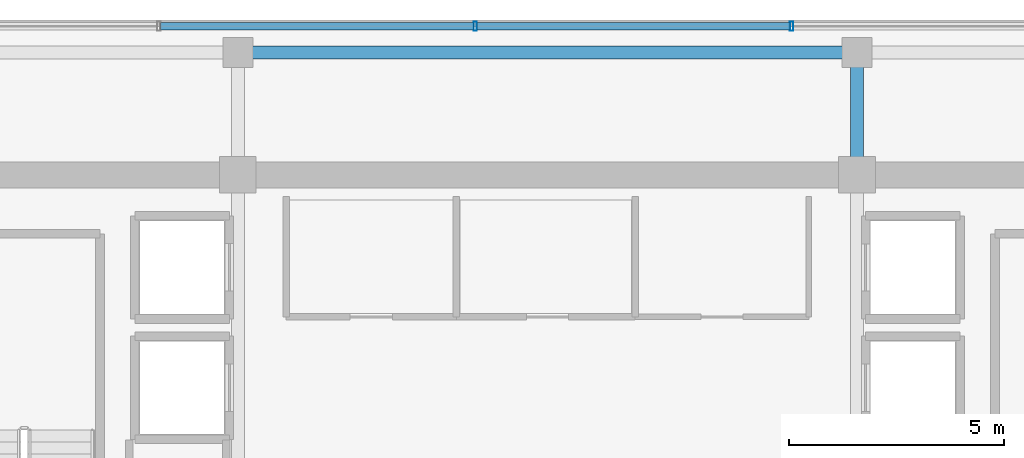
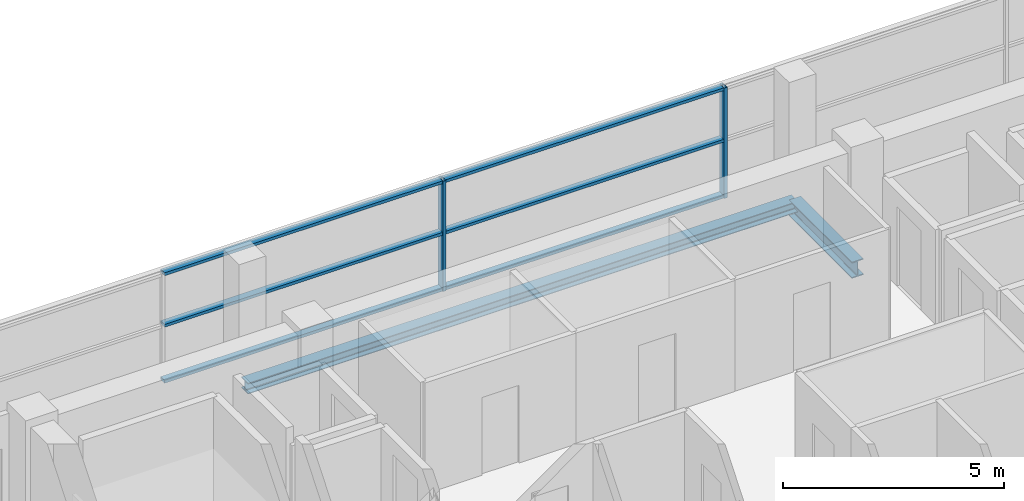
# One storey, part 12 of 21: 8 members, 2 beams, 1 element without a shape of its own.
"""IFC4 building model written with IfcOpenShell, lengths in metres."""

from ifc_helpers import new_model, si_unit, direction, frame, origin, origin_2d, place, context, subcontext, project, spatial, hollow_rectangle, i_section, extrude, source, transform, mapped, material, layer, layer_set, material_profile, profile_set, type_object, element, aggregate, save


model = new_model("IFC4")

# Units and contexts
model_context = context("Model", 3, precision=1e-05, world=origin(), true_north=direction((0.0, 1.0)))
body_context = subcontext(model_context, "Body", "Model", "MODEL_VIEW")
ifc_project = project(units=[si_unit("LENGTHUNIT", "METRE"), si_unit("AREAUNIT", "SQUARE_METRE"), si_unit("VOLUMEUNIT", "CUBIC_METRE"), si_unit("PLANEANGLEUNIT", "RADIAN"), si_unit("MASSUNIT", "GRAM", prefix="KILO")], contexts=[model_context])

# Site, building, storey
site_placement = place(None, origin())
site = spatial("IfcSite", under=ifc_project, at=site_placement, CompositionType="ELEMENT")
building_placement = place(site_placement, origin())
building = spatial("IfcBuilding", under=site, at=building_placement, Name="Zarnakvel Exchange Tower", CompositionType="ELEMENT")
storey_placement = place(building_placement, frame((0.0, 0.0, 241.89990234375)))
storey = spatial("IfcBuildingStorey", under=building, at=storey_placement, Name="L68", CompositionType="ELEMENT", Elevation=241.89990234375)

# Beams
ifc_material_1 = material(Name="Steel S355", Category="steel")
ifc_material_profile_1 = material_profile(ifc_material_1, i_section(OverallWidth=0.300048828125, OverallDepth=0.449951171875, WebThickness=0.013916015625, FlangeThickness=0.02587890625, FilletRadius=0.027099609375, at=origin_2d()))
ifc_profile_set_1 = profile_set([ifc_material_profile_1], Name="Steel S355")
beam_type_1 = type_object("IfcBeamType", Name="G-07", PredefinedType="BEAM", material=ifc_profile_set_1)
beam_1_placement = place(storey_placement, frame((7.199951171875, 13.5, -0.449951171875), z_axis=(0.0, 1.0, 0.0), x_axis=(-1.0, 0.0, 0.0)))
element("IfcBeam", 1, at=beam_1_placement, inside=storey, type_object=beam_type_1, Name="L68 Tower N-S Frame Beam", PredefinedType="BEAM", context=body_context, shape_type="SweptSolid", body=[
    extrude(i_section(OverallWidth=0.300048828125, OverallDepth=0.449951171875, WebThickness=0.013916015625, FlangeThickness=0.02587890625, FilletRadius=0.027099609375, at=origin_2d()), origin(), (0.0, 0.0, 1.0), 2.85009765625),
])
ifc_material_profile_2 = material_profile(ifc_material_1, i_section(OverallWidth=0.300048828125, OverallDepth=0.300048828125, WebThickness=0.010986328125, FlangeThickness=0.01904296875, FilletRadius=0.027099609375, at=origin_2d()))
ifc_profile_set_2 = profile_set([ifc_material_profile_2], Name="Steel S355")
beam_type_2 = type_object("IfcBeamType", Name="SP-03", PredefinedType="SPANDREL", material=ifc_profile_set_2)
beam_2_placement = place(storey_placement, frame((-7.199951171875, 16.35009765625, -0.375), z_axis=(1.0, 0.0, 0.0), x_axis=(0.0, 1.0, 0.0)))
element("IfcBeam", 2, at=beam_2_placement, inside=storey, type_object=beam_type_2, Name="L68 Tower E-W Frame Beam", PredefinedType="SPANDREL", context=body_context, shape_type="SweptSolid", body=[
    extrude(i_section(OverallWidth=0.300048828125, OverallDepth=0.300048828125, WebThickness=0.010986328125, FlangeThickness=0.01904296875, FilletRadius=0.027099609375, at=origin_2d()), origin(), (0.0, 0.0, 1.0), 14.39990234375),
])

# Curtain wall, members
ifc_material_2 = material(Name="Architectural Bronze Anodised Aluminium", Category="aluminium")
ifc_layer = layer(ifc_material_2, 0.219970703125)
ifc_layer_set = layer_set([ifc_layer], Name="Architectural Bronze Anodised Aluminium")
curtain_wall_type = type_object("IfcCurtainWallType", Name="CW-03", PredefinedType="NOTDEFINED", material=ifc_layer_set)
curtain_wall_placement = place(storey_placement, origin())
curtain_wall = element("IfcCurtainWall", 3, at=curtain_wall_placement, inside=storey, type_object=curtain_wall_type, Name="L68 Curtain Wall CW-L68-N1 (CW-03)", PredefinedType="NOTDEFINED")
ifc_material_profile_3 = material_profile(ifc_material_2, hollow_rectangle(XDim=0.219970703125, YDim=0.080078125, WallThickness=0.0048828125, at=origin_2d()))
ifc_profile_set_3 = profile_set([ifc_material_profile_3], Name="Architectural Bronze Anodised Aluminium")
member_type_1 = type_object("IfcMemberType", Name="CWM-03", PredefinedType="MULLION", material=ifc_profile_set_3)
shared_shape_1 = source(origin(), body_context, "Body", "SweptSolid", [
    extrude(hollow_rectangle(XDim=0.219970703125, YDim=0.080078125, WallThickness=0.0048828125, at=origin_2d()), origin(), (0.0, 0.0, 1.0), 3.05517578125),
])
member_1_placement = place(storey_placement, frame((-1.679931640625, 16.9599609375, 0.0), z_axis=(0.0, 0.0, 1.0), x_axis=(0.0, 1.0, 0.0)))
member_1 = element("IfcMember", 4, at=member_1_placement, type_object=member_type_1, Name="CW-03 mullion 3", PredefinedType="MULLION", context=body_context, shape_type="MappedRepresentation", body=[
    mapped(shared_shape_1, transform((0.0, 0.0, 0.0), x_axis=(1.0, 0.0, 0.0), y_axis=(0.0, 1.0, 0.0), z_axis=(0.0, 0.0, 1.0), scale=1.0)),
])
member_2_placement = place(storey_placement, frame((5.679931640625, 16.9599609375, 0.0), z_axis=(0.0, 0.0, 1.0), x_axis=(0.0, 1.0, 0.0)))
member_2 = element("IfcMember", 5, at=member_2_placement, type_object=member_type_1, Name="CW-03 mullion 4", PredefinedType="MULLION", context=body_context, shape_type="MappedRepresentation", body=[
    mapped(shared_shape_1, transform((0.0, 0.0, 0.0), x_axis=(1.0, 0.0, 0.0), y_axis=(0.0, 1.0, 0.0), z_axis=(0.0, 0.0, 1.0), scale=1.0)),
])
ifc_material_profile_4 = material_profile(ifc_material_2, hollow_rectangle(XDim=0.179931640625, YDim=0.080078125, WallThickness=0.00390625, at=origin_2d()))
ifc_profile_set_4 = profile_set([ifc_material_profile_4], Name="Architectural Bronze Anodised Aluminium")
member_type_2 = type_object("IfcMemberType", Name="CWT-03", PredefinedType="USERDEFINED", material=ifc_profile_set_4)
shared_shape_2 = source(origin(), body_context, "Body", "SweptSolid", [
    extrude(hollow_rectangle(XDim=0.179931640625, YDim=0.080078125, WallThickness=0.00390625, at=origin_2d()), origin(), (0.0, 0.0, 1.0), 7.280029296875),
])
member_3_placement = place(storey_placement, frame((-9.0, 16.9599609375, 0.0400390625), z_axis=(1.0, 0.0, 0.0), x_axis=(0.0, 1.0, 0.0)))
member_3 = element("IfcMember", 6, at=member_3_placement, type_object=member_type_2, Name="CW-03 transom 2.1", ObjectType="TRANSOM", PredefinedType="USERDEFINED", context=body_context, shape_type="MappedRepresentation", body=[
    mapped(shared_shape_2, transform((0.0, 0.0, 0.0), x_axis=(1.0, 0.0, 0.0), y_axis=(0.0, 1.0, 0.0), z_axis=(0.0, 0.0, 1.0), scale=1.0)),
])
member_4_placement = place(storey_placement, frame((-9.0, 16.9599609375, 1.588623046875), z_axis=(1.0, 0.0, 0.0), x_axis=(0.0, 1.0, 0.0)))
member_4 = element("IfcMember", 7, at=member_4_placement, type_object=member_type_2, Name="CW-03 transom 2.2", ObjectType="TRANSOM", PredefinedType="USERDEFINED", context=body_context, shape_type="MappedRepresentation", body=[
    mapped(shared_shape_2, transform((0.0, 0.0, 0.0), x_axis=(1.0, 0.0, 0.0), y_axis=(0.0, 1.0, 0.0), z_axis=(0.0, 0.0, 1.0), scale=1.0)),
])
member_5_placement = place(storey_placement, frame((-9.0, 16.9599609375, 3.01513671875), z_axis=(1.0, 0.0, 0.0), x_axis=(0.0, 1.0, 0.0)))
member_5 = element("IfcMember", 8, at=member_5_placement, type_object=member_type_2, Name="CW-03 transom 2.3", ObjectType="TRANSOM", PredefinedType="USERDEFINED", context=body_context, shape_type="MappedRepresentation", body=[
    mapped(shared_shape_2, transform((0.0, 0.0, 0.0), x_axis=(1.0, 0.0, 0.0), y_axis=(0.0, 1.0, 0.0), z_axis=(0.0, 0.0, 1.0), scale=1.0)),
])
shared_shape_3 = source(origin(), body_context, "Body", "SweptSolid", [
    extrude(hollow_rectangle(XDim=0.179931640625, YDim=0.080078125, WallThickness=0.00390625, at=origin_2d()), origin(), (0.0, 0.0, 1.0), 7.27978515625),
])
member_6_placement = place(storey_placement, frame((-1.639892578125, 16.9599609375, 0.0400390625), z_axis=(1.0, 0.0, 0.0), x_axis=(0.0, 1.0, 0.0)))
member_6 = element("IfcMember", 9, at=member_6_placement, type_object=member_type_2, Name="CW-03 transom 3.1", ObjectType="TRANSOM", PredefinedType="USERDEFINED", context=body_context, shape_type="MappedRepresentation", body=[
    mapped(shared_shape_3, transform((0.0, 0.0, 0.0), x_axis=(1.0, 0.0, 0.0), y_axis=(0.0, 1.0, 0.0), z_axis=(0.0, 0.0, 1.0), scale=1.0)),
])
member_7_placement = place(storey_placement, frame((-1.639892578125, 16.9599609375, 1.588623046875), z_axis=(1.0, 0.0, 0.0), x_axis=(0.0, 1.0, 0.0)))
member_7 = element("IfcMember", 10, at=member_7_placement, type_object=member_type_2, Name="CW-03 transom 3.2", ObjectType="TRANSOM", PredefinedType="USERDEFINED", context=body_context, shape_type="MappedRepresentation", body=[
    mapped(shared_shape_3, transform((0.0, 0.0, 0.0), x_axis=(1.0, 0.0, 0.0), y_axis=(0.0, 1.0, 0.0), z_axis=(0.0, 0.0, 1.0), scale=1.0)),
])
member_8_placement = place(storey_placement, frame((-1.639892578125, 16.9599609375, 3.01513671875), z_axis=(1.0, 0.0, 0.0), x_axis=(0.0, 1.0, 0.0)))
member_8 = element("IfcMember", 11, at=member_8_placement, type_object=member_type_2, Name="CW-03 transom 3.3", ObjectType="TRANSOM", PredefinedType="USERDEFINED", context=body_context, shape_type="MappedRepresentation", body=[
    mapped(shared_shape_3, transform((0.0, 0.0, 0.0), x_axis=(1.0, 0.0, 0.0), y_axis=(0.0, 1.0, 0.0), z_axis=(0.0, 0.0, 1.0), scale=1.0)),
])
aggregate(curtain_wall, [member_1, member_2, member_3, member_4, member_5, member_6, member_7, member_8])

save(model, "model.ifc")
